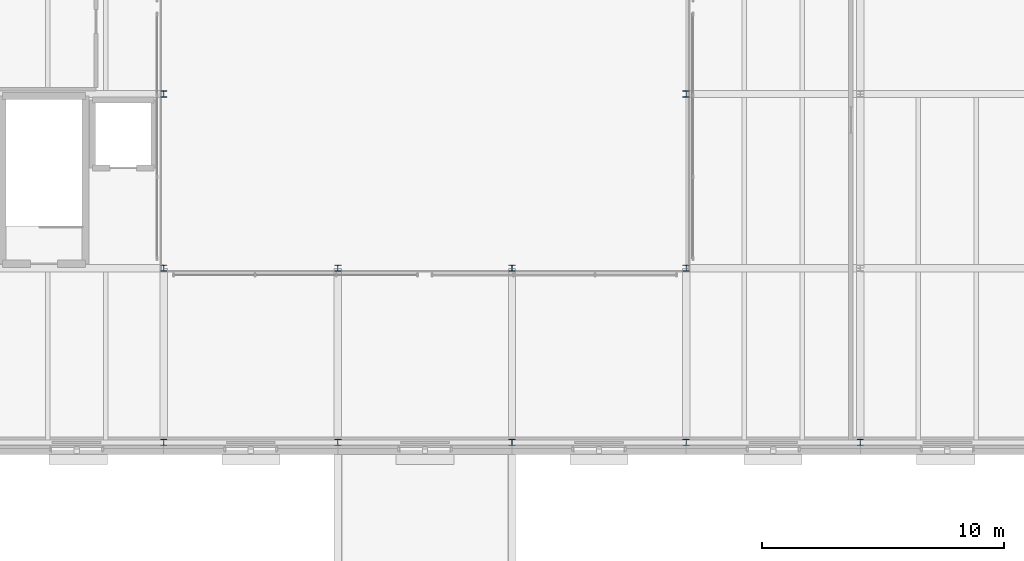
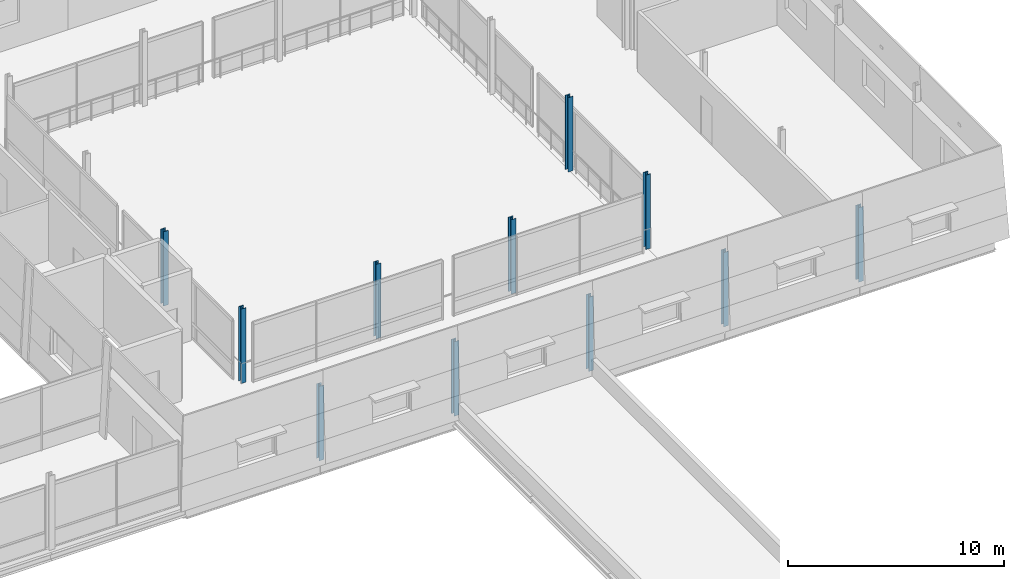
# One storey, part 14 of 115: 11 columns.
"""IFC4 building model written with IfcOpenShell, lengths in metres."""

from ifc_helpers import new_model, si_unit, direction, frame, origin, origin_2d, place, context, subcontext, project, spatial, i_section, extrude, material, material_profile, profile_set, type_object, element, save


model = new_model("IFC4")

# Units and contexts
model_context = context("Model", 3, precision=1e-05, world=origin(), true_north=direction((0.0, 1.0)))
body_context = subcontext(model_context, "Body", "Model", "MODEL_VIEW")
ifc_project = project(units=[si_unit("LENGTHUNIT", "METRE"), si_unit("AREAUNIT", "SQUARE_METRE"), si_unit("VOLUMEUNIT", "CUBIC_METRE"), si_unit("PLANEANGLEUNIT", "RADIAN"), si_unit("MASSUNIT", "GRAM", prefix="KILO")], contexts=[model_context])

# Site, building, storey
site_placement = place(None, origin())
site = spatial("IfcSite", under=ifc_project, at=site_placement, CompositionType="ELEMENT")
building_placement = place(site_placement, origin())
building = spatial("IfcBuilding", under=site, at=building_placement, Name="Narikvali Park Central Library", CompositionType="ELEMENT")
storey_placement = place(building_placement, frame((0.0, 0.0, 10.199951171875)))
storey = spatial("IfcBuildingStorey", under=building, at=storey_placement, Name="L02", CompositionType="ELEMENT", Elevation=10.199951171875)

# Columns
ifc_material = material(Name="Steel S355", Category="steel")
ifc_material_profile = material_profile(ifc_material, i_section(OverallWidth=0.260009765625, OverallDepth=0.260009765625, WebThickness=0.010009765625, FlangeThickness=0.017578125, FilletRadius=0.02392578125, at=origin_2d()), Name="HEB 260")
ifc_profile_set = profile_set([ifc_material_profile], Name="Steel S355")
column_type = type_object("IfcColumnType", Name="Steel Column HEB260", PredefinedType="COLUMN", material=ifc_profile_set)
for number, where, z_axis, x_axis, name in (
    (1, (129.60009765625, 79.199951171875, 0.0), (0.0, 0.0, 1.0), (1.0, 0.0, 0.0), "V3 L02 Column (129.6,79.2)"),
    (2, (129.60009765625, 86.39990234375, 0.0), (0.0, 0.0, 1.0), (1.0, 0.0, 0.0), "V3 L02 Column (129.6,86.4)"),
    (3, (129.60009765625, 93.60009765625, 0.0), (0.0, 0.0, 1.0), (1.0, 0.0, 0.0), "V3 L02 Column (129.6,93.6)"),
    (4, (136.800048828125, 79.199951171875, 0.0), (0.0, 0.0, 1.0), (1.0, 0.0, 0.0), "V3 L02 Column (136.8,79.2)"),
    (5, (136.800048828125, 86.39990234375, 0.0), (0.0, 0.0, 1.0), (1.0, 0.0, 0.0), "V3 L02 Column (136.8,86.4)"),
    (6, (144.0, 79.199951171875, 0.0), (0.0, 0.0, 1.0), (1.0, 0.0, 0.0), "V3 L02 Column (144.0,79.2)"),
    (7, (144.0, 86.39990234375, 0.0), (0.0, 0.0, 1.0), (1.0, 0.0, 0.0), "V3 L02 Column (144.0,86.4)"),
    (8, (151.199951171875, 79.199951171875, 0.0), (0.0, 0.0, 1.0), (1.0, 0.0, 0.0), "V3 L02 Column (151.2,79.2)"),
    (9, (151.199951171875, 86.39990234375, 0.0), (0.0, 0.0, 1.0), (1.0, 0.0, 0.0), "V3 L02 Column (151.2,86.4)"),
    (10, (151.199951171875, 93.60009765625, 0.0), (0.0, 0.0, 1.0), (1.0, 0.0, 0.0), "V3 L02 Column (151.2,93.6)"),
    (11, (158.39990234375, 79.199951171875, 0.0), (0.0, 0.0, 1.0), (1.0, 0.0, 0.0), "V3 L02 Column (158.4,79.2)"),
):
    element("IfcColumn", number, at=place(storey_placement, frame(where, z_axis=z_axis, x_axis=x_axis)), inside=storey, type_object=column_type, Name=name, PredefinedType="COLUMN", context=body_context, shape_type="SweptSolid", body=[
        extrude(i_section(OverallWidth=0.260009765625, OverallDepth=0.260009765625, WebThickness=0.010009765625, FlangeThickness=0.017578125, FilletRadius=0.02392578125, at=origin_2d()), origin(), (0.0, 0.0, 1.0), 4.199951171875),
    ])

save(model, "model.ifc")
